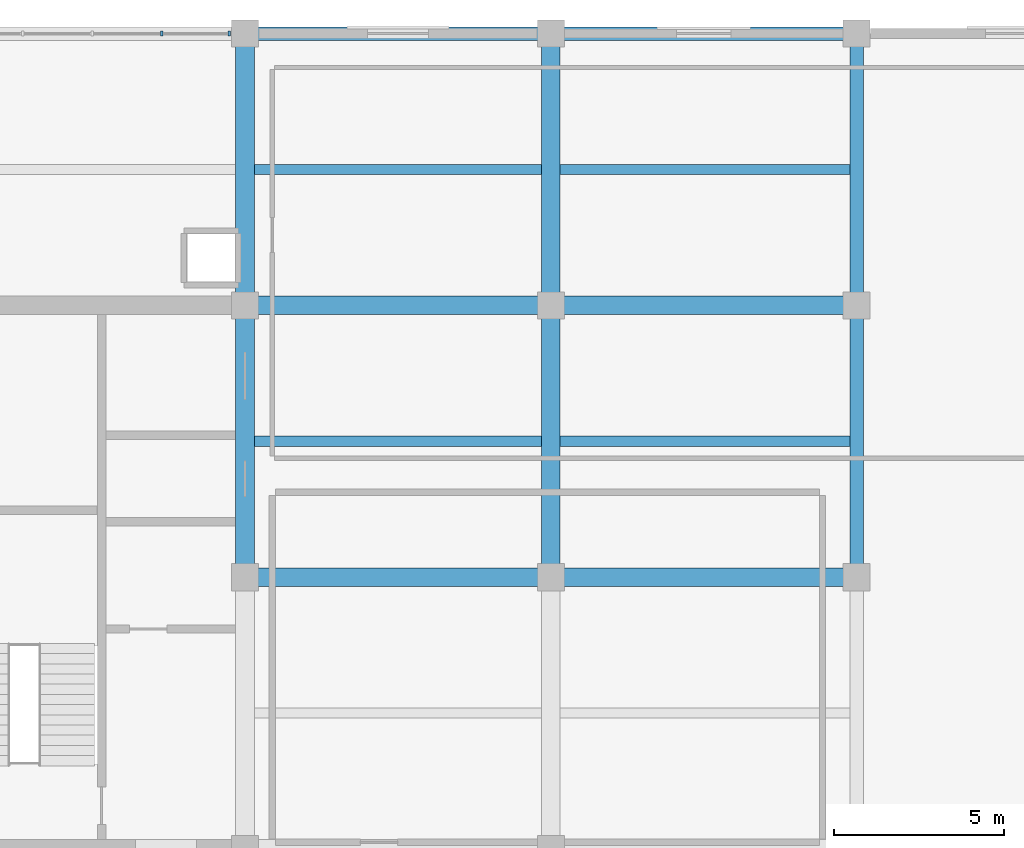
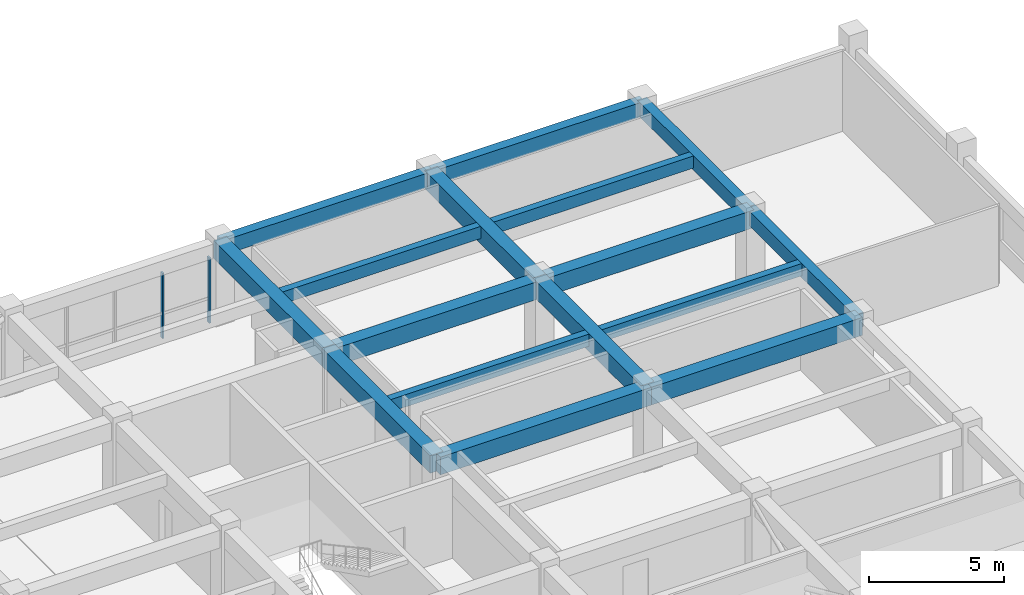
# One storey, part 10 of 16: 16 beams, 2 members, 1 element without a shape of its own.
"""IFC4 building model written with IfcOpenShell, lengths in metres."""

import ifcopenshell
import ifcopenshell.guid

model = None  # the IFC model being written
_history = None  # IfcOwnerHistory: only IFC2X3 demands one
_inside = {}  # id of a spatial element -> (the spatial element, [elements in it])
_under = {}  # id of a project, library or spatial element -> (it, [spatial elements below it])
_declared = {}  # id of a project -> (the project, [libraries it declares])
_typed = {}  # id of a type object -> (the type object, [elements of that type])
_made_of = {}  # id of a material, layer set ... -> (it, [elements and type objects made of it])


def new_model(schema):
    """Start an empty IFC model of exactly this schema.

    Asked for "IFC4X3", IfcOpenShell would pick the latest addendum, in which some entities
    have other attributes; the version numbers below select the first issue.
    IFC2X3 requires an IfcOwnerHistory on every rooted entity: one is made here for all.
    """
    global model, _history
    if schema == "IFC4X3":
        model = ifcopenshell.file(schema_version=(4, 3, 0, 0))
    else:
        model = ifcopenshell.file(schema=schema)
    _inside.clear()
    _under.clear()
    _declared.clear()
    _typed.clear()
    _made_of.clear()
    _history = None
    if model.schema == "IFC2X3":
        org = make("IfcOrganization", Name="unknown")
        user = make(
            "IfcPersonAndOrganization",
            ThePerson=make("IfcPerson", FamilyName="unknown"),
            TheOrganization=org,
        )
        app = make(
            "IfcApplication",
            ApplicationDeveloper=org,
            Version="unknown",
            ApplicationFullName="unknown",
            ApplicationIdentifier="unknown",
        )
        _history = make(
            "IfcOwnerHistory",
            OwningUser=user,
            OwningApplication=app,
            ChangeAction="ADDED",
            CreationDate=0,
        )
    return model


def make(cls, **values):
    """One entity of the class cls with the attributes given. An attribute that is None is left unset."""
    return model.create_entity(
        cls, **{name: value for name, value in values.items() if value is not None}
    )


def rooted(cls, **values):
    """An entity with a GlobalId (a new one), such as an element, a storey or a relation."""
    return make(cls, GlobalId=ifcopenshell.guid.new(), OwnerHistory=_history, **values)


def si_unit(unit_type, name, prefix=None):
    """IfcSIUnit, for example si_unit("LENGTHUNIT", "METRE", prefix="MILLI")."""
    return make("IfcSIUnit", UnitType=unit_type, Prefix=prefix, Name=name)


def assignment(units):
    """IfcUnitAssignment: the units of a project."""
    return None if units is None else make("IfcUnitAssignment", Units=units)


def point(xyz):
    """IfcCartesianPoint."""
    return None if xyz is None else make("IfcCartesianPoint", Coordinates=xyz)


def direction(xyz):
    """IfcDirection."""
    return None if xyz is None else make("IfcDirection", DirectionRatios=xyz)


def frame(location, z_axis=None, x_axis=None):
    """IfcAxis2Placement3D, a coordinate frame: its origin and axes. An axis left out is left unset."""
    return make(
        "IfcAxis2Placement3D",
        Location=point(location),
        Axis=direction(z_axis),
        RefDirection=direction(x_axis),
    )


def frame_2d(location, x_axis=None):
    """IfcAxis2Placement2D, a coordinate frame in the plane: its origin and x axis."""
    return make(
        "IfcAxis2Placement2D", Location=point(location), RefDirection=direction(x_axis)
    )


def origin():
    """The frame at (0, 0, 0) with its axes left unset."""
    return frame((0.0, 0.0, 0.0))


def origin_2d():
    """The frame at (0, 0) in the plane with its x axis left unset."""
    return frame_2d((0.0, 0.0))


def place(relative_to, where):
    """IfcLocalPlacement: puts the frame where relative to a parent placement (None: the world)."""
    return make(
        "IfcLocalPlacement", PlacementRelTo=relative_to, RelativePlacement=where
    )


def context(
    kind, dimensions, precision=None, world=None, true_north=None, identifier=None
):
    """IfcGeometricRepresentationContext, for example the 3D "Model" context."""
    return make(
        "IfcGeometricRepresentationContext",
        ContextIdentifier=identifier,
        ContextType=kind,
        CoordinateSpaceDimension=dimensions,
        Precision=precision,
        WorldCoordinateSystem=world,
        TrueNorth=true_north,
    )


def subcontext(parent, identifier, kind, view, scale=None):
    """IfcGeometricRepresentationSubContext, for example "Body" below "Model"."""
    return make(
        "IfcGeometricRepresentationSubContext",
        ContextIdentifier=identifier,
        ContextType=kind,
        ParentContext=parent,
        TargetScale=scale,
        TargetView=view,
    )


def project(units=None, contexts=None):
    """IfcProject with its units and contexts."""
    return rooted(
        "IfcProject",
        Name="project",
        RepresentationContexts=contexts,
        UnitsInContext=assignment(units),
    )


def spatial(cls, under=None, at=None, **own):
    """A site, building, storey or space (cls), placed at a placement, below another one or the project."""
    s = rooted(cls, ObjectPlacement=at, **own)
    if under is not None:
        _under.setdefault(under.id(), (under, []))[1].append(s)
    return s


def profile(cls, at=None, kind="AREA", **sizes):
    """A parametric profile (cls). Its sizes go by their IFC names, for example OverallWidth=200.0."""
    return make(cls, ProfileType=kind, Position=at, **sizes)


def rectangle(**sizes):
    """IfcRectangleProfileDef."""
    return profile("IfcRectangleProfileDef", **sizes)


def extrude(swept, where, along, depth):
    """IfcExtrudedAreaSolid: the profile swept, set in the frame where, extruded along a direction by depth."""
    return make(
        "IfcExtrudedAreaSolid",
        SweptArea=swept,
        Position=where,
        ExtrudedDirection=direction(along),
        Depth=depth,
    )


def shape(context_of_items, identifier, shape_type, items):
    """IfcShapeRepresentation: the items that make up one representation, for example the "Body"."""
    return make(
        "IfcShapeRepresentation",
        ContextOfItems=context_of_items,
        RepresentationIdentifier=identifier,
        RepresentationType=shape_type,
        Items=items,
    )


def material(Name=None, Category=None):
    """IfcMaterial."""
    return make("IfcMaterial", Name=Name, Category=Category)


def material_profile(
    of_material, cross_section, Name=None, Category=None, Priority=None
):
    """IfcMaterialProfile: a cross section and its material."""
    return make(
        "IfcMaterialProfile",
        Name=Name,
        Material=of_material,
        Profile=cross_section,
        Priority=Priority,
        Category=Category,
    )


def profile_set(profiles, Name=None, composite=None):
    """IfcMaterialProfileSet."""
    return make(
        "IfcMaterialProfileSet",
        Name=Name,
        MaterialProfiles=profiles,
        CompositeProfile=composite,
    )


def made_of(thing, what):
    """Note that an element or type object is made of a material, layer set ...; save() writes the relation."""
    if what is not None:
        _made_of.setdefault(what.id(), (what, []))[1].append(thing)
    return thing


def type_object(cls, material=None, **own):
    """A type object (cls), such as IfcWallType, which elements share."""
    return made_of(rooted(cls, **own), material)


def element(
    cls,
    number,
    at=None,
    inside=None,
    cuts=None,
    type_object=None,
    material=None,
    context=None,
    identifier="Body",
    shape_type=None,
    held_by="IfcProductDefinitionShape",
    body=None,
    shapes=None,
    **own,
):
    """One element of the class cls, such as IfcWall. Its Tag is "e" and its number.

    at: its placement. inside: the storey or other place that contains it. cuts: it is an
    opening in that element (IfcRelVoidsElement). A single representation is given by context,
    identifier, shape_type and body (its items); several are given by shapes. held_by: the class
    of the entity that holds the representations. save() writes the other relations.
    """
    e = rooted(cls, Tag="e%d" % number, ObjectPlacement=at, **own)
    if body is not None:
        shapes = [shape(context, identifier, shape_type, body)]
    if shapes is not None:
        e.Representation = make(held_by, Representations=shapes)
    if inside is not None:
        _inside.setdefault(inside.id(), (inside, []))[1].append(e)
    if cuts is not None:
        rooted(
            "IfcRelVoidsElement", RelatingBuildingElement=cuts, RelatedOpeningElement=e
        )
    if type_object is not None:
        _typed.setdefault(type_object.id(), (type_object, []))[1].append(e)
    return made_of(e, material)


def aggregate(whole, parts):
    """IfcRelAggregates: a whole, such as a stair, and the parts it consists of."""
    return rooted("IfcRelAggregates", RelatingObject=whole, RelatedObjects=parts)


def save(model, path):
    """Write the relations noted so far, then the file.

    IfcRelAggregates (storeys below a building ...), IfcRelContainedInSpatialStructure (elements
    in a storey), IfcRelDefinesByType, IfcRelAssociatesMaterial and IfcRelDeclares: one each for
    every whole, place, type object, material and project.
    """
    for whole, parts in _under.values():
        aggregate(whole, parts)
    for where, things in _inside.values():
        rooted(
            "IfcRelContainedInSpatialStructure",
            RelatedElements=things,
            RelatingStructure=where,
        )
    for kind, things in _typed.values():
        rooted("IfcRelDefinesByType", RelatedObjects=things, RelatingType=kind)
    for what, things in _made_of.values():
        rooted("IfcRelAssociatesMaterial", RelatedObjects=things, RelatingMaterial=what)
    for by, libraries in _declared.values():
        rooted("IfcRelDeclares", RelatingContext=by, RelatedDefinitions=libraries)
    model.write(path)


model = new_model("IFC4")

# Units and contexts
model_context = context("Model", 3, precision=1e-05, world=origin(), true_north=direction((0.0, 1.0)))
body_context = subcontext(model_context, "Body", "Model", "MODEL_VIEW")
ifc_project = project(units=[si_unit("LENGTHUNIT", "METRE"), si_unit("AREAUNIT", "SQUARE_METRE"), si_unit("VOLUMEUNIT", "CUBIC_METRE"), si_unit("PLANEANGLEUNIT", "RADIAN"), si_unit("MASSUNIT", "GRAM", prefix="KILO")], contexts=[model_context])

# Site, building, storey
site_placement = place(None, origin())
site = spatial("IfcSite", under=ifc_project, at=site_placement, CompositionType="ELEMENT")
building_placement = place(site_placement, origin())
building = spatial("IfcBuilding", under=site, at=building_placement, Name="Zaverband Oceanarium and Marine Research Institute", CompositionType="ELEMENT")
storey_placement = place(building_placement, frame((0.0, 0.0, 41.39990234375)))
storey = spatial("IfcBuildingStorey", under=building, at=storey_placement, Name="L10", CompositionType="ELEMENT", Elevation=41.39990234375)

# Beams
ifc_material_1 = material(Name="Concrete C40/50", Category="concrete")
ifc_material_profile_1 = material_profile(ifc_material_1, rectangle(XDim=0.550048828125, YDim=0.800048828125, at=origin_2d()), Name="RC550x800")
ifc_profile_set_1 = profile_set([ifc_material_profile_1], Name="Concrete C40/50")
beam_type_1 = type_object("IfcBeamType", Name="BM-550x800", PredefinedType="BEAM", material=ifc_profile_set_1)
for number, where, z_axis, x_axis, name in (
    (1, (45.0, 96.0, 3.22021484375), (1.0, 0.0, 0.0), (0.0, 1.0, 0.0), "Primary floor girder BM-550x800"),
    (2, (54.0, 96.0, 3.22021484375), (1.0, 0.0, 0.0), (0.0, 1.0, 0.0), "Primary floor girder BM-550x800"),
    (3, (45.0, 104.0, 3.22021484375), (1.0, 0.0, 0.0), (0.0, 1.0, 0.0), "Primary floor girder BM-550x800"),
    (4, (54.0, 104.0, 3.22021484375), (1.0, 0.0, 0.0), (0.0, 1.0, 0.0), "Primary floor girder BM-550x800"),
):
    element("IfcBeam", number, at=place(storey_placement, frame(where, z_axis=z_axis, x_axis=x_axis)), inside=storey, type_object=beam_type_1, Name=name, PredefinedType="BEAM", context=body_context, shape_type="SweptSolid", body=[
        extrude(rectangle(XDim=0.550048828125, YDim=0.800048828125, at=origin_2d()), origin(), (0.0, 0.0, 1.0), 9.0),
    ])
for number, where, z_axis, x_axis, name in (
    (5, (45.0, 96.0, 3.22021484375), (0.0, 1.0, 0.0), (-1.0, 0.0, 0.0), "Primary floor girder BM-550x800"),
    (6, (45.0, 104.0, 3.22021484375), (0.0, 1.0, 0.0), (-1.0, 0.0, 0.0), "Primary floor girder BM-550x800"),
    (7, (54.0, 96.0, 3.22021484375), (0.0, 1.0, 0.0), (-1.0, 0.0, 0.0), "Primary floor girder BM-550x800"),
    (8, (54.0, 104.0, 3.22021484375), (0.0, 1.0, 0.0), (-1.0, 0.0, 0.0), "Primary floor girder BM-550x800"),
):
    element("IfcBeam", number, at=place(storey_placement, frame(where, z_axis=z_axis, x_axis=x_axis)), inside=storey, type_object=beam_type_1, Name=name, PredefinedType="BEAM", context=body_context, shape_type="SweptSolid", body=[
        extrude(rectangle(XDim=0.550048828125, YDim=0.800048828125, at=origin_2d()), origin(), (0.0, 0.0, 1.0), 8.0),
    ])
ifc_material_profile_2 = material_profile(ifc_material_1, rectangle(XDim=0.300048828125, YDim=0.550048828125, at=origin_2d()), Name="RC300x550")
ifc_profile_set_2 = profile_set([ifc_material_profile_2], Name="Concrete C40/50")
beam_type_2 = type_object("IfcBeamType", Name="JST-300x550", PredefinedType="JOIST", material=ifc_profile_set_2)
for number, where, z_axis, x_axis, name in (
    (9, (45.27490234375, 100.0, 3.34521484375), (1.0, 0.0, 0.0), (0.0, 1.0, 0.0), "Secondary floor joist JST-300x550"),
    (10, (45.27490234375, 108.0, 3.34521484375), (1.0, 0.0, 0.0), (0.0, 1.0, 0.0), "Secondary floor joist JST-300x550"),
):
    element("IfcBeam", number, at=place(storey_placement, frame(where, z_axis=z_axis, x_axis=x_axis)), inside=storey, type_object=beam_type_2, Name=name, PredefinedType="JOIST", context=body_context, shape_type="SweptSolid", body=[
        extrude(rectangle(XDim=0.300048828125, YDim=0.550048828125, at=origin_2d()), origin(), (0.0, 0.0, 1.0), 8.4501953125),
    ])
for number, where, z_axis, x_axis, name in (
    (11, (54.27490234375, 100.0, 3.34521484375), (1.0, 0.0, 0.0), (0.0, 1.0, 0.0), "Secondary floor joist JST-300x550"),
    (12, (54.27490234375, 108.0, 3.34521484375), (1.0, 0.0, 0.0), (0.0, 1.0, 0.0), "Secondary floor joist JST-300x550"),
):
    element("IfcBeam", number, at=place(storey_placement, frame(where, z_axis=z_axis, x_axis=x_axis)), inside=storey, type_object=beam_type_2, Name=name, PredefinedType="JOIST", context=body_context, shape_type="SweptSolid", body=[
        extrude(rectangle(XDim=0.300048828125, YDim=0.550048828125, at=origin_2d()), origin(), (0.0, 0.0, 1.0), 8.525146484375),
    ])

# Curtain wall, members
ifc_material_2 = material(Name="Thermally broken anodized aluminium and solar-control glass", Category="aluminium")
curtain_wall_type = type_object("IfcCurtainWallType", Name="CW-UNIT-1800", PredefinedType="NOTDEFINED", material=ifc_material_2)
curtain_wall_placement = place(storey_placement, origin())
curtain_wall = element("IfcCurtainWall", 13, at=curtain_wall_placement, inside=storey, type_object=curtain_wall_type, Name="Unitised glazed curtain wall CW-117", PredefinedType="NOTDEFINED")
ifc_material_3 = material(Name="Thermally broken anodized aluminium", Category="aluminium")
ifc_material_profile_3 = material_profile(ifc_material_3, rectangle(XDim=0.070068359375, YDim=0.14990234375, at=origin_2d()), Name="AL-MUL-70x150")
ifc_profile_set_3 = profile_set([ifc_material_profile_3], Name="Thermally broken anodized aluminium")
member_type = type_object("IfcMemberType", Name="MUL-70x150", PredefinedType="MULLION", material=ifc_profile_set_3)
member_1_placement = place(storey_placement, frame((42.547607421875, 112.0, 0.0), z_axis=(0.0, 0.0, 1.0), x_axis=(1.0, 0.0, 0.0)))
member_1 = element("IfcMember", 14, at=member_1_placement, type_object=member_type, Name="Curtain wall vertical mullion MUL-70x150", PredefinedType="MULLION", context=body_context, shape_type="SweptSolid", body=[
    extrude(rectangle(XDim=0.070068359375, YDim=0.14990234375, at=origin_2d()), origin(), (0.0, 0.0, 1.0), 2.9501953125),
])
member_2_placement = place(storey_placement, frame((44.534912109375, 112.0, 0.0), z_axis=(0.0, 0.0, 1.0), x_axis=(1.0, 0.0, 0.0)))
member_2 = element("IfcMember", 15, at=member_2_placement, type_object=member_type, Name="Curtain wall vertical mullion MUL-70x150", PredefinedType="MULLION", context=body_context, shape_type="SweptSolid", body=[
    extrude(rectangle(XDim=0.070068359375, YDim=0.14990234375, at=origin_2d()), origin(), (0.0, 0.0, 1.0), 2.9501953125),
])
aggregate(curtain_wall, [member_1, member_2])

# Beams
ifc_material_profile_4 = material_profile(ifc_material_1, rectangle(XDim=0.39990234375, YDim=0.64990234375, at=origin_2d()), Name="RC400x650")
ifc_profile_set_4 = profile_set([ifc_material_profile_4], Name="Concrete C40/50")
beam_type_3 = type_object("IfcBeamType", Name="SPN-400x650", PredefinedType="SPANDREL", material=ifc_profile_set_4)
for number, where, z_axis, x_axis, name in (
    (16, (45.0, 112.0, 3.295166015625), (1.0, 0.0, 0.0), (0.0, 1.0, 0.0), "Perimeter spandrel beam SPN-400x650"),
    (17, (54.0, 112.0, 3.295166015625), (1.0, 0.0, 0.0), (0.0, 1.0, 0.0), "Perimeter spandrel beam SPN-400x650"),
):
    element("IfcBeam", number, at=place(storey_placement, frame(where, z_axis=z_axis, x_axis=x_axis)), inside=storey, type_object=beam_type_3, Name=name, PredefinedType="SPANDREL", context=body_context, shape_type="SweptSolid", body=[
        extrude(rectangle(XDim=0.39990234375, YDim=0.64990234375, at=origin_2d()), origin(), (0.0, 0.0, 1.0), 9.0),
    ])
for number, where, z_axis, x_axis, name in (
    (18, (63.0, 96.0, 3.295166015625), (0.0, 1.0, 0.0), (-1.0, 0.0, 0.0), "Perimeter spandrel beam SPN-400x650"),
    (19, (63.0, 104.0, 3.295166015625), (0.0, 1.0, 0.0), (-1.0, 0.0, 0.0), "Perimeter spandrel beam SPN-400x650"),
):
    element("IfcBeam", number, at=place(storey_placement, frame(where, z_axis=z_axis, x_axis=x_axis)), inside=storey, type_object=beam_type_3, Name=name, PredefinedType="SPANDREL", context=body_context, shape_type="SweptSolid", body=[
        extrude(rectangle(XDim=0.39990234375, YDim=0.64990234375, at=origin_2d()), origin(), (0.0, 0.0, 1.0), 8.0),
    ])

save(model, "model.ifc")
